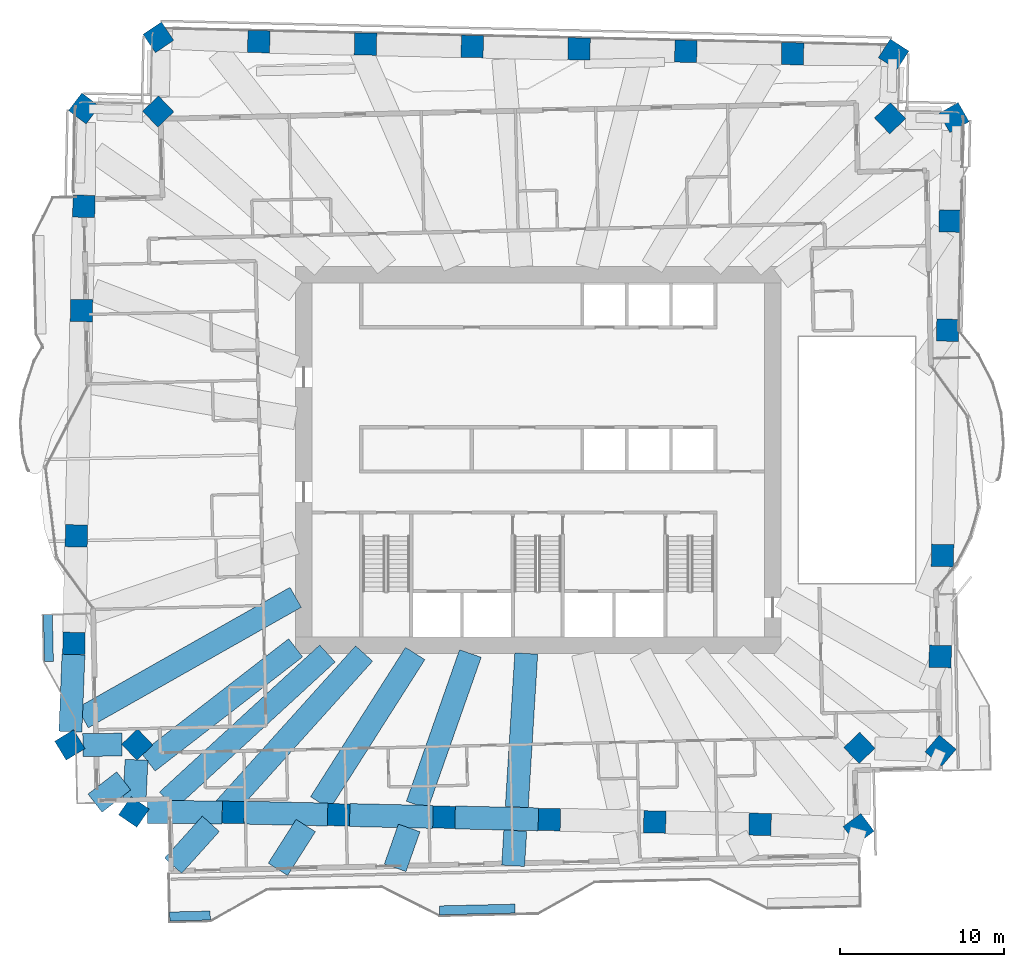
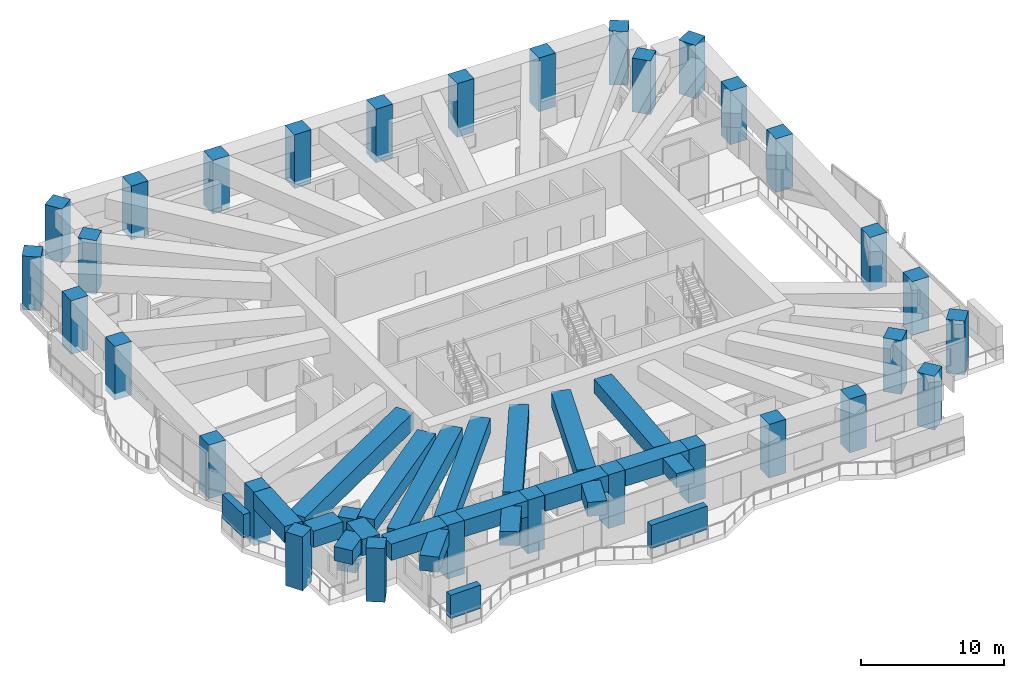
# One storey, part 1 of 21: 32 columns, 19 beams, 3 members.
"""IFC4 building model written with IfcOpenShell, lengths in metres."""

import ifcopenshell
import ifcopenshell.guid

model = None  # the IFC model being written
_history = None  # IfcOwnerHistory: only IFC2X3 demands one
_inside = {}  # id of a spatial element -> (the spatial element, [elements in it])
_under = {}  # id of a project, library or spatial element -> (it, [spatial elements below it])
_declared = {}  # id of a project -> (the project, [libraries it declares])
_typed = {}  # id of a type object -> (the type object, [elements of that type])
_made_of = {}  # id of a material, layer set ... -> (it, [elements and type objects made of it])


def new_model(schema):
    """Start an empty IFC model of exactly this schema.

    Asked for "IFC4X3", IfcOpenShell would pick the latest addendum, in which some entities
    have other attributes; the version numbers below select the first issue.
    IFC2X3 requires an IfcOwnerHistory on every rooted entity: one is made here for all.
    """
    global model, _history
    if schema == "IFC4X3":
        model = ifcopenshell.file(schema_version=(4, 3, 0, 0))
    else:
        model = ifcopenshell.file(schema=schema)
    _inside.clear()
    _under.clear()
    _declared.clear()
    _typed.clear()
    _made_of.clear()
    _history = None
    if model.schema == "IFC2X3":
        org = make("IfcOrganization", Name="unknown")
        user = make(
            "IfcPersonAndOrganization",
            ThePerson=make("IfcPerson", FamilyName="unknown"),
            TheOrganization=org,
        )
        app = make(
            "IfcApplication",
            ApplicationDeveloper=org,
            Version="unknown",
            ApplicationFullName="unknown",
            ApplicationIdentifier="unknown",
        )
        _history = make(
            "IfcOwnerHistory",
            OwningUser=user,
            OwningApplication=app,
            ChangeAction="ADDED",
            CreationDate=0,
        )
    return model


def make(cls, **values):
    """One entity of the class cls with the attributes given. An attribute that is None is left unset."""
    return model.create_entity(
        cls, **{name: value for name, value in values.items() if value is not None}
    )


def rooted(cls, **values):
    """An entity with a GlobalId (a new one), such as an element, a storey or a relation."""
    return make(cls, GlobalId=ifcopenshell.guid.new(), OwnerHistory=_history, **values)


def si_unit(unit_type, name, prefix=None):
    """IfcSIUnit, for example si_unit("LENGTHUNIT", "METRE", prefix="MILLI")."""
    return make("IfcSIUnit", UnitType=unit_type, Prefix=prefix, Name=name)


def assignment(units):
    """IfcUnitAssignment: the units of a project."""
    return None if units is None else make("IfcUnitAssignment", Units=units)


def point(xyz):
    """IfcCartesianPoint."""
    return None if xyz is None else make("IfcCartesianPoint", Coordinates=xyz)


def direction(xyz):
    """IfcDirection."""
    return None if xyz is None else make("IfcDirection", DirectionRatios=xyz)


def frame(location, z_axis=None, x_axis=None):
    """IfcAxis2Placement3D, a coordinate frame: its origin and axes. An axis left out is left unset."""
    return make(
        "IfcAxis2Placement3D",
        Location=point(location),
        Axis=direction(z_axis),
        RefDirection=direction(x_axis),
    )


def frame_2d(location, x_axis=None):
    """IfcAxis2Placement2D, a coordinate frame in the plane: its origin and x axis."""
    return make(
        "IfcAxis2Placement2D", Location=point(location), RefDirection=direction(x_axis)
    )


def origin():
    """The frame at (0, 0, 0) with its axes left unset."""
    return frame((0.0, 0.0, 0.0))


def origin_2d():
    """The frame at (0, 0) in the plane with its x axis left unset."""
    return frame_2d((0.0, 0.0))


def place(relative_to, where):
    """IfcLocalPlacement: puts the frame where relative to a parent placement (None: the world)."""
    return make(
        "IfcLocalPlacement", PlacementRelTo=relative_to, RelativePlacement=where
    )


def context(
    kind, dimensions, precision=None, world=None, true_north=None, identifier=None
):
    """IfcGeometricRepresentationContext, for example the 3D "Model" context."""
    return make(
        "IfcGeometricRepresentationContext",
        ContextIdentifier=identifier,
        ContextType=kind,
        CoordinateSpaceDimension=dimensions,
        Precision=precision,
        WorldCoordinateSystem=world,
        TrueNorth=true_north,
    )


def subcontext(parent, identifier, kind, view, scale=None):
    """IfcGeometricRepresentationSubContext, for example "Body" below "Model"."""
    return make(
        "IfcGeometricRepresentationSubContext",
        ContextIdentifier=identifier,
        ContextType=kind,
        ParentContext=parent,
        TargetScale=scale,
        TargetView=view,
    )


def project(units=None, contexts=None):
    """IfcProject with its units and contexts."""
    return rooted(
        "IfcProject",
        Name="project",
        RepresentationContexts=contexts,
        UnitsInContext=assignment(units),
    )


def spatial(cls, under=None, at=None, **own):
    """A site, building, storey or space (cls), placed at a placement, below another one or the project."""
    s = rooted(cls, ObjectPlacement=at, **own)
    if under is not None:
        _under.setdefault(under.id(), (under, []))[1].append(s)
    return s


def profile(cls, at=None, kind="AREA", **sizes):
    """A parametric profile (cls). Its sizes go by their IFC names, for example OverallWidth=200.0."""
    return make(cls, ProfileType=kind, Position=at, **sizes)


def rectangle(**sizes):
    """IfcRectangleProfileDef."""
    return profile("IfcRectangleProfileDef", **sizes)


def extrude(swept, where, along, depth):
    """IfcExtrudedAreaSolid: the profile swept, set in the frame where, extruded along a direction by depth."""
    return make(
        "IfcExtrudedAreaSolid",
        SweptArea=swept,
        Position=where,
        ExtrudedDirection=direction(along),
        Depth=depth,
    )


def shape(context_of_items, identifier, shape_type, items):
    """IfcShapeRepresentation: the items that make up one representation, for example the "Body"."""
    return make(
        "IfcShapeRepresentation",
        ContextOfItems=context_of_items,
        RepresentationIdentifier=identifier,
        RepresentationType=shape_type,
        Items=items,
    )


def material(Name=None, Category=None):
    """IfcMaterial."""
    return make("IfcMaterial", Name=Name, Category=Category)


def material_profile(
    of_material, cross_section, Name=None, Category=None, Priority=None
):
    """IfcMaterialProfile: a cross section and its material."""
    return make(
        "IfcMaterialProfile",
        Name=Name,
        Material=of_material,
        Profile=cross_section,
        Priority=Priority,
        Category=Category,
    )


def profile_set(profiles, Name=None, composite=None):
    """IfcMaterialProfileSet."""
    return make(
        "IfcMaterialProfileSet",
        Name=Name,
        MaterialProfiles=profiles,
        CompositeProfile=composite,
    )


def made_of(thing, what):
    """Note that an element or type object is made of a material, layer set ...; save() writes the relation."""
    if what is not None:
        _made_of.setdefault(what.id(), (what, []))[1].append(thing)
    return thing


def type_object(cls, material=None, **own):
    """A type object (cls), such as IfcWallType, which elements share."""
    return made_of(rooted(cls, **own), material)


def element(
    cls,
    number,
    at=None,
    inside=None,
    cuts=None,
    type_object=None,
    material=None,
    context=None,
    identifier="Body",
    shape_type=None,
    held_by="IfcProductDefinitionShape",
    body=None,
    shapes=None,
    **own,
):
    """One element of the class cls, such as IfcWall. Its Tag is "e" and its number.

    at: its placement. inside: the storey or other place that contains it. cuts: it is an
    opening in that element (IfcRelVoidsElement). A single representation is given by context,
    identifier, shape_type and body (its items); several are given by shapes. held_by: the class
    of the entity that holds the representations. save() writes the other relations.
    """
    e = rooted(cls, Tag="e%d" % number, ObjectPlacement=at, **own)
    if body is not None:
        shapes = [shape(context, identifier, shape_type, body)]
    if shapes is not None:
        e.Representation = make(held_by, Representations=shapes)
    if inside is not None:
        _inside.setdefault(inside.id(), (inside, []))[1].append(e)
    if cuts is not None:
        rooted(
            "IfcRelVoidsElement", RelatingBuildingElement=cuts, RelatedOpeningElement=e
        )
    if type_object is not None:
        _typed.setdefault(type_object.id(), (type_object, []))[1].append(e)
    return made_of(e, material)


def aggregate(whole, parts):
    """IfcRelAggregates: a whole, such as a stair, and the parts it consists of."""
    return rooted("IfcRelAggregates", RelatingObject=whole, RelatedObjects=parts)


def save(model, path):
    """Write the relations noted so far, then the file.

    IfcRelAggregates (storeys below a building ...), IfcRelContainedInSpatialStructure (elements
    in a storey), IfcRelDefinesByType, IfcRelAssociatesMaterial and IfcRelDeclares: one each for
    every whole, place, type object, material and project.
    """
    for whole, parts in _under.values():
        aggregate(whole, parts)
    for where, things in _inside.values():
        rooted(
            "IfcRelContainedInSpatialStructure",
            RelatedElements=things,
            RelatingStructure=where,
        )
    for kind, things in _typed.values():
        rooted("IfcRelDefinesByType", RelatedObjects=things, RelatingType=kind)
    for what, things in _made_of.values():
        rooted("IfcRelAssociatesMaterial", RelatedObjects=things, RelatingMaterial=what)
    for by, libraries in _declared.values():
        rooted("IfcRelDeclares", RelatingContext=by, RelatedDefinitions=libraries)
    model.write(path)


model = new_model("IFC4")

# Units and contexts
model_context = context("Model", 3, precision=1e-05, world=origin(), true_north=direction((0.0, 1.0)))
body_context = subcontext(model_context, "Body", "Model", "MODEL_VIEW")
ifc_project = project(units=[si_unit("LENGTHUNIT", "METRE"), si_unit("AREAUNIT", "SQUARE_METRE"), si_unit("VOLUMEUNIT", "CUBIC_METRE"), si_unit("PLANEANGLEUNIT", "RADIAN"), si_unit("MASSUNIT", "GRAM", prefix="KILO")], contexts=[model_context])

# Site, building, storey
site_placement = place(None, origin())
site = spatial("IfcSite", under=ifc_project, at=site_placement, CompositionType="ELEMENT")
building_placement = place(site_placement, origin())
building = spatial("IfcBuilding", under=site, at=building_placement, Name="Mangrove Gate Tower", CompositionType="ELEMENT")
storey_placement = place(building_placement, frame((0.0, 0.0, 125.5)))
storey = spatial("IfcBuildingStorey", under=building, at=storey_placement, Name="L31", CompositionType="ELEMENT", Elevation=125.5)

# Columns
ifc_material_1 = material(Name="Concrete C70/85", Category="concrete")
ifc_material_profile_1 = material_profile(ifc_material_1, rectangle(XDim=1.35009765625, YDim=1.35009765625, at=origin_2d()))
ifc_profile_set_1 = profile_set([ifc_material_profile_1], Name="Concrete C70/85")
column_type = type_object("IfcColumnType", Name="Column RC 1350x1350 C70/85", PredefinedType="COLUMN", material=ifc_profile_set_1)
for number, where, z_axis, x_axis, name in (
    (1, (-28.17822265625, -4.624267578125, -0.550048828125), (0.0, 0.0, 1.0), (-0.022695691547, -0.999742419619, 0.0), "Column L31 W05"),
    (2, (-28.3271484375, -11.184326171875, -0.550048828125), (0.0, 0.0, 1.0), (-0.022705829297, -0.999742189425, 0.0), "Column L31 W06"),
    (3, (-28.574462890625, -17.379150390625, -0.550048828125), (0.0, 0.0, 1.0), (0.51980850099, -0.85428281166, 0.0), "Column L31 W07"),
    (4, (-24.464111328125, -17.358642578125, -0.550048828125), (0.0, 0.0, 1.0), (0.69093208713, -0.722919671176, 0.0), "Column L31 W08"),
    (5, (-24.6650390625, -21.46728515625, -0.550048828125), (0.0, 0.0, 1.0), (0.824584810142, -0.565738359034, 0.0), "Column L31 S01"),
    (6, (-18.603759765625, -21.4951171875, -0.550048828125), (0.0, 0.0, 1.0), (0.999742156532, -0.022707277547, 0.0), "Column L31 S02"),
    (7, (-12.17578125, -21.64111328125, -0.550048828125), (0.0, 0.0, 1.0), (0.999742156532, -0.022707277547, 0.0), "Column L31 S03"),
    (8, (-5.74755859375, -21.787109375, -0.550048828125), (0.0, 0.0, 1.0), (0.999742156532, -0.022707277547, 0.0), "Column L31 S04"),
    (9, (0.680419921875, -21.93310546875, -0.550048828125), (0.0, 0.0, 1.0), (0.999742156532, -0.022707277547, 0.0), "Column L31 S05"),
    (10, (7.108154296875, -22.0791015625, -0.550048828125), (0.0, 0.0, 1.0), (0.999743919101, -0.022629543109, 0.0), "Column L31 S06"),
    (11, (13.536376953125, -22.22412109375, -0.550048828125), (0.0, 0.0, 1.0), (0.999743919101, -0.022629543109, 0.0), "Column L31 S07"),
    (12, (19.546875, -22.5029296875, -0.550048828125), (0.0, 0.0, 1.0), (0.803200357552, 0.595708977294, 0.0), "Column L31 S08"),
    (13, (19.5966796875, -17.55908203125, -0.550048828125), (0.0, 0.0, 1.0), (0.722976563275, 0.690872556232, 0.0), "Column L31 E01"),
    (14, (24.546630859375, -17.722900390625, -0.550048828125), (0.0, 0.0, 1.0), (0.64744355459, 0.76211340601, 0.0), "Column L31 E02"),
    (15, (24.526123046875, -11.983642578125, -0.550048828125), (0.0, 0.0, 1.0), (0.022717711923, 0.99974191948, 0.0), "Column L31 E03"),
    (16, (24.666259765625, -5.82275390625, -0.550048828125), (0.0, 0.0, 1.0), (0.022698588047, 0.99974235386, 0.0), "Column L31 E04"),
    (17, (24.978271484375, 7.92431640625, -0.550048828125), (0.0, 0.0, 1.0), (0.022682447908, 0.999742720182, 0.0), "Column L31 E05"),
    (18, (25.129150390625, 14.584228515625, -0.550048828125), (0.0, 0.0, 1.0), (0.022665138693, 0.999743112748, 0.0), "Column L31 E06"),
    (19, (25.36865234375, 20.895751953125, -0.550048828125), (0.0, 0.0, 1.0), (-0.495140886792, 0.868812696861, 0.0), "Column L31 E07"),
    (20, (21.468017578125, 20.854736328125, -0.550048828125), (0.0, 0.0, 1.0), (-0.690837236726, 0.723010312757, 0.0), "Column L31 E08"),
    (21, (21.680908203125, 24.7529296875, -0.550048828125), (0.0, 0.0, 1.0), (-0.840169758103, 0.542323499001, 0.0), "Column L31 N01"),
    (22, (15.517822265625, 24.792236328125, -0.550048828125), (0.0, 0.0, 1.0), (-0.999743694319, 0.022639471488, 0.0), "Column L31 N02"),
    (23, (9.004638671875, 24.940185546875, -0.550048828125), (0.0, 0.0, 1.0), (-0.99974195437, 0.02271617643, 0.0), "Column L31 N03"),
    (24, (2.49072265625, 25.088134765625, -0.550048828125), (0.0, 0.0, 1.0), (-0.999741994016, 0.022714431551, 0.0), "Column L31 N04"),
    (25, (-4.0234375, 25.236083984375, -0.550048828125), (0.0, 0.0, 1.0), (-0.999741994016, 0.022714431551, 0.0), "Column L31 N05"),
    (26, (-10.537353515625, 25.38427734375, -0.550048828125), (0.0, 0.0, 1.0), (-0.99974195437, 0.02271617643, 0.0), "Column L31 N06"),
    (27, (-17.05029296875, 25.5322265625, -0.550048828125), (0.0, 0.0, 1.0), (-0.999743694319, 0.022639471488, 0.0), "Column L31 N07"),
    (28, (-23.17236328125, 25.7939453125, -0.550048828125), (0.0, 0.0, 1.0), (-0.829825550582, -0.558022898815, 0.0), "Column L31 N08"),
    (29, (-23.187744140625, 21.26806640625, -0.550048828125), (0.0, 0.0, 1.0), (-0.722988982899, -0.690859559249, 0.0), "Column L31 W01"),
    (30, (-27.714111328125, 21.4521484375, -0.550048828125), (0.0, 0.0, 1.0), (-0.604088172923, -0.796917485901, 0.0), "Column L31 W02"),
    (31, (-27.72216796875, 15.483642578125, -0.550048828125), (0.0, 0.0, 1.0), (-0.02271069751, -0.999742078848, 0.0), "Column L31 W03"),
    (32, (-27.8662109375, 9.122802734375, -0.550048828125), (0.0, 0.0, 1.0), (-0.022671716894, -0.999742963593, 0.0), "Column L31 W04"),
):
    element("IfcColumn", number, at=place(storey_placement, frame(where, z_axis=z_axis, x_axis=x_axis)), inside=storey, type_object=column_type, Name=name, PredefinedType="COLUMN", context=body_context, shape_type="SweptSolid", body=[
        extrude(rectangle(XDim=1.35009765625, YDim=1.35009765625, at=origin_2d()), origin(), (0.0, 0.0, 1.0), 4.60009765625),
    ])

# Members
ifc_material_2 = material(Name="Planting on aluminium trellis", Category="aluminium")
ifc_material_profile_2 = material_profile(ifc_material_2, rectangle(XDim=0.550048828125, YDim=2.0, at=origin_2d()))
ifc_profile_set_2 = profile_set([ifc_material_profile_2], Name="Planting on aluminium trellis")
member_type = type_object("IfcMemberType", Name="Balcony greenery screen 550x2000", PredefinedType="USERDEFINED", material=ifc_profile_set_2)
member_1_placement = place(storey_placement, frame((-29.85302734375, -12.2939453125, 1.800048828125), z_axis=(-0.022590224177, 0.999744808324, 0.0), x_axis=(-0.999744808324, -0.022590224177, 0.0)))
element("IfcMember", 33, at=member_1_placement, inside=storey, type_object=member_type, Name="GREEN SCREEN L31 W1.1", ObjectType="PLANTING", PredefinedType="USERDEFINED", context=body_context, shape_type="SweptSolid", body=[
    extrude(rectangle(XDim=0.550048828125, YDim=2.0, at=origin_2d()), origin(), (0.0, 0.0, 1.0), 2.874755859375),
])
member_2_placement = place(storey_placement, frame((-22.48291015625, -27.844970703125, 1.800048828125), z_axis=(0.99974432732, 0.022611501329, 0.0), x_axis=(-0.022611501329, 0.99974432732, 0.0)))
element("IfcMember", 34, at=member_2_placement, inside=storey, type_object=member_type, Name="GREEN SCREEN L31 S0.1", ObjectType="PLANTING", PredefinedType="USERDEFINED", context=body_context, shape_type="SweptSolid", body=[
    extrude(rectangle(XDim=0.550048828125, YDim=2.0, at=origin_2d()), origin(), (0.0, 0.0, 1.0), 2.47265625),
])
member_3_placement = place(storey_placement, frame((-6.014892578125, -27.471923828125, 1.800048828125), z_axis=(0.999739556364, 0.022821468877, 0.0), x_axis=(-0.022821468877, 0.999739556364, 0.0)))
element("IfcMember", 35, at=member_3_placement, inside=storey, type_object=member_type, Name="GREEN SCREEN L31 S0.2", ObjectType="PLANTING", PredefinedType="USERDEFINED", context=body_context, shape_type="SweptSolid", body=[
    extrude(rectangle(XDim=0.550048828125, YDim=2.0, at=origin_2d()), origin(), (0.0, 0.0, 1.0), 4.60009765625),
])

# Beams
ifc_material_3 = material(Name="Concrete C70/85", Category="concrete")
ifc_material_profile_3 = material_profile(ifc_material_3, rectangle(XDim=1.39990234375, YDim=1.199951171875, at=origin_2d()))
ifc_profile_set_3 = profile_set([ifc_material_profile_3], Name="Concrete C70/85")
beam_type_1 = type_object("IfcBeamType", Name="Transfer girder RC 1400x1200 C70/85", PredefinedType="BEAM", material=ifc_profile_set_3)
beam_1_placement = place(storey_placement, frame((-14.800048828125, -11.454833984375, 3.449951171875), z_axis=(-0.790808775529, -0.612063297826, 0.0), x_axis=(0.612063297826, -0.790808775529, 0.0)))
element("IfcBeam", 36, at=beam_1_placement, inside=storey, type_object=beam_type_1, Name="Transfer girder L31 02", PredefinedType="BEAM", context=body_context, shape_type="SweptSolid", body=[
    extrude(rectangle(XDim=1.39990234375, YDim=1.199951171875, at=origin_2d()), origin(), (0.0, 0.0, 1.0), 11.381591796875),
])
beam_2_placement = place(storey_placement, frame((-25.28759765625, -19.57177734375, 3.449951171875), z_axis=(-0.79082505564, -0.612042262733, 0.0), x_axis=(0.612042262733, -0.79082505564, 0.0)))
element("IfcBeam", 37, at=beam_2_placement, inside=storey, type_object=beam_type_1, Name="Transfer cantilever girder L31 02", PredefinedType="BEAM", context=body_context, shape_type="SweptSolid", body=[
    extrude(rectangle(XDim=1.39990234375, YDim=1.199951171875, at=origin_2d()), origin(), (0.0, 0.0, 1.0), 2.218994140625),
])
beam_3_placement = place(storey_placement, frame((-7.505859375, -11.800048828125, 3.449951171875), z_axis=(-0.536717524967, -0.843761991555, 0.0), x_axis=(0.843761991555, -0.536717524967, 0.0)))
element("IfcBeam", 38, at=beam_3_placement, inside=storey, type_object=beam_type_1, Name="Transfer girder L31 05", PredefinedType="BEAM", context=body_context, shape_type="SweptSolid", body=[
    extrude(rectangle(XDim=1.39990234375, YDim=1.199951171875, at=origin_2d()), origin(), (0.0, 0.0, 1.0), 10.801025390625),
])
beam_4_placement = place(storey_placement, frame((-14.183349609375, -22.29736328125, 3.449951171875), z_axis=(-0.536646105415, -0.843807417331, 0.0), x_axis=(0.843807417331, -0.536646105415, 0.0)))
element("IfcBeam", 39, at=beam_4_placement, inside=storey, type_object=beam_type_1, Name="Transfer cantilever girder L31 05", PredefinedType="BEAM", context=body_context, shape_type="SweptSolid", body=[
    extrude(rectangle(XDim=1.39990234375, YDim=1.199951171875, at=origin_2d()), origin(), (0.0, 0.0, 1.0), 3.168212890625),
])
beam_5_placement = place(storey_placement, frame((-4.14013671875, -11.800048828125, 3.449951171875), z_axis=(-0.331078372227, -0.943603259555, 0.0), x_axis=(0.943603259555, -0.331078372227, 0.0)))
element("IfcBeam", 40, at=beam_5_placement, inside=storey, type_object=beam_type_1, Name="Transfer girder L31 06", PredefinedType="BEAM", context=body_context, shape_type="SweptSolid", body=[
    extrude(rectangle(XDim=1.39990234375, YDim=1.199951171875, at=origin_2d()), origin(), (0.0, 0.0, 1.0), 9.798828125),
])
beam_6_placement = place(storey_placement, frame((-7.874267578125, -22.442626953125, 3.449951171875), z_axis=(-0.331130607293, -0.943584930419, 0.0), x_axis=(0.943584930419, -0.331130607293, 0.0)))
element("IfcBeam", 41, at=beam_6_placement, inside=storey, type_object=beam_type_1, Name="Transfer cantilever girder L31 06", PredefinedType="BEAM", context=body_context, shape_type="SweptSolid", body=[
    extrude(rectangle(XDim=1.39990234375, YDim=1.199951171875, at=origin_2d()), origin(), (0.0, 0.0, 1.0), 2.578369140625),
])
beam_7_placement = place(storey_placement, frame((-0.729736328125, -11.800048828125, 3.449951171875), z_axis=(-0.061722448709, -0.998093352009, 0.0), x_axis=(0.998093352009, -0.061722448709, 0.0)))
element("IfcBeam", 42, at=beam_7_placement, inside=storey, type_object=beam_type_1, Name="Transfer girder L31 07", PredefinedType="BEAM", context=body_context, shape_type="SweptSolid", body=[
    extrude(rectangle(XDim=1.39990234375, YDim=1.199951171875, at=origin_2d()), origin(), (0.0, 0.0, 1.0), 9.38623046875),
])
beam_8_placement = place(storey_placement, frame((-1.398193359375, -22.605712890625, 3.449951171875), z_axis=(-0.061650223409, -0.998097815824, 0.0), x_axis=(0.998097815824, -0.061650223409, 0.0)))
element("IfcBeam", 43, at=beam_8_placement, inside=storey, type_object=beam_type_1, Name="Transfer cantilever girder L31 07", PredefinedType="BEAM", context=body_context, shape_type="SweptSolid", body=[
    extrude(rectangle(XDim=1.39990234375, YDim=1.199951171875, at=origin_2d()), origin(), (0.0, 0.0, 1.0), 2.150390625),
])
ifc_material_4 = material(Name="Concrete C70/85", Category="concrete")
ifc_material_profile_4 = material_profile(ifc_material_4, rectangle(XDim=1.39990234375, YDim=1.300048828125, at=origin_2d()))
ifc_profile_set_4 = profile_set([ifc_material_profile_4], Name="Concrete C70/85")
beam_type_2 = type_object("IfcBeamType", Name="Transfer girder RC 1400x1300 C70/85", PredefinedType="BEAM", material=ifc_profile_set_4)
beam_9_placement = place(storey_placement, frame((-10.6220703125, -11.800048828125, 3.39990234375), z_axis=(-0.669039895523, -0.743226491857, 0.0), x_axis=(0.743226491857, -0.669039895523, 0.0)))
element("IfcBeam", 44, at=beam_9_placement, inside=storey, type_object=beam_type_2, Name="Transfer girder L31 04", PredefinedType="BEAM", context=body_context, shape_type="SweptSolid", body=[
    extrude(rectangle(XDim=1.39990234375, YDim=1.300048828125, at=origin_2d()), origin(), (0.0, 0.0, 1.0), 12.920166015625),
])
beam_10_placement = place(storey_placement, frame((-19.97509765625, -22.1904296875, 3.39990234375), z_axis=(-0.669047078723, -0.7432200256, 0.0), x_axis=(0.7432200256, -0.669047078723, 0.0)))
element("IfcBeam", 45, at=beam_10_placement, inside=storey, type_object=beam_type_2, Name="Transfer cantilever girder L31 04", PredefinedType="BEAM", context=body_context, shape_type="SweptSolid", body=[
    extrude(rectangle(XDim=1.39990234375, YDim=1.300048828125, at=origin_2d()), origin(), (0.0, 0.0, 1.0), 3.439697265625),
])
ifc_material_5 = material(Name="Concrete C70/85", Category="concrete")
ifc_material_profile_5 = material_profile(ifc_material_5, rectangle(XDim=1.39990234375, YDim=1.39990234375, at=origin_2d()))
ifc_profile_set_5 = profile_set([ifc_material_profile_5], Name="Concrete C70/85")
beam_type_3 = type_object("IfcBeamType", Name="Transfer girder RC 1400x1400 C70/85", PredefinedType="BEAM", material=ifc_profile_set_5)
beam_11_placement = place(storey_placement, frame((-28.35400390625, -11.85888671875, 3.35009765625), z_axis=(-0.039877036275, -0.999204594654, 0.0), x_axis=(0.999204594654, -0.039877036275, 0.0)))
element("IfcBeam", 46, at=beam_11_placement, inside=storey, type_object=beam_type_3, Name="Transfer ring girder L31 01", PredefinedType="BEAM", context=body_context, shape_type="SweptSolid", body=[
    extrude(rectangle(XDim=1.39990234375, YDim=1.39990234375, at=origin_2d()), origin(), (0.0, 0.0, 1.0), 4.714111328125),
])
beam_12_placement = place(storey_placement, frame((-27.78662109375, -17.375244140625, 3.35009765625), z_axis=(0.999987507884, 0.004998407415, 0.0), x_axis=(-0.004998407415, 0.999987507884, 0.0)))
element("IfcBeam", 47, at=beam_12_placement, inside=storey, type_object=beam_type_3, Name="Transfer ring girder L31 02", PredefinedType="BEAM", context=body_context, shape_type="SweptSolid", body=[
    extrude(rectangle(XDim=1.39990234375, YDim=1.39990234375, at=origin_2d()), origin(), (0.0, 0.0, 1.0), 2.393310546875),
])
beam_13_placement = place(storey_placement, frame((-24.509521484375, -18.2880859375, 3.35009765625), z_axis=(-0.048928849018, -0.998802266584, 0.0), x_axis=(0.998802266584, -0.048928849018, 0.0)))
element("IfcBeam", 48, at=beam_13_placement, inside=storey, type_object=beam_type_3, Name="Transfer ring girder L31 03", PredefinedType="BEAM", context=body_context, shape_type="SweptSolid", body=[
    extrude(rectangle(XDim=1.39990234375, YDim=1.39990234375, at=origin_2d()), origin(), (0.0, 0.0, 1.0), 2.39013671875),
])
beam_14_placement = place(storey_placement, frame((-23.84912109375, -21.47119140625, 3.35009765625), z_axis=(0.99998944767, -0.004593968616, 0.0), x_axis=(0.004593968616, 0.99998944767, 0.0)))
element("IfcBeam", 49, at=beam_14_placement, inside=storey, type_object=beam_type_3, Name="Transfer ring girder L31 04", PredefinedType="BEAM", context=body_context, shape_type="SweptSolid", body=[
    extrude(rectangle(XDim=1.39990234375, YDim=1.39990234375, at=origin_2d()), origin(), (0.0, 0.0, 1.0), 4.5703125),
])
beam_15_placement = place(storey_placement, frame((-17.928955078125, -21.510498046875, 3.35009765625), z_axis=(0.999742653716, -0.022685377268, 0.0), x_axis=(0.022685377268, 0.999742653716, 0.0)))
element("IfcBeam", 50, at=beam_15_placement, inside=storey, type_object=beam_type_3, Name="Transfer ring girder L31 05", PredefinedType="BEAM", context=body_context, shape_type="SweptSolid", body=[
    extrude(rectangle(XDim=1.39990234375, YDim=1.39990234375, at=origin_2d()), origin(), (0.0, 0.0, 1.0), 5.07958984375),
])
beam_16_placement = place(storey_placement, frame((-11.500732421875, -21.656494140625, 3.35009765625), z_axis=(0.99974262898, -0.02268646735, 0.0), x_axis=(0.02268646735, 0.99974262898, 0.0)))
element("IfcBeam", 51, at=beam_16_placement, inside=storey, type_object=beam_type_3, Name="Transfer ring girder L31 06", PredefinedType="BEAM", context=body_context, shape_type="SweptSolid", body=[
    extrude(rectangle(XDim=1.39990234375, YDim=1.39990234375, at=origin_2d()), origin(), (0.0, 0.0, 1.0), 5.079345703125),
])
beam_17_placement = place(storey_placement, frame((-5.07275390625, -21.802490234375, 3.35009765625), z_axis=(0.999741562533, -0.022733414695, 0.0), x_axis=(0.022733414695, 0.999741562533, 0.0)))
element("IfcBeam", 52, at=beam_17_placement, inside=storey, type_object=beam_type_3, Name="Transfer ring girder L31 07", PredefinedType="BEAM", context=body_context, shape_type="SweptSolid", body=[
    extrude(rectangle(XDim=1.39990234375, YDim=1.39990234375, at=origin_2d()), origin(), (0.0, 0.0, 1.0), 5.07958984375),
])
beam_18_placement = place(storey_placement, frame((-12.861083984375, -11.800048828125, 3.35009765625), z_axis=(-0.736850838468, -0.676055354131, 0.0), x_axis=(0.676055354131, -0.736850838468, 0.0)))
element("IfcBeam", 53, at=beam_18_placement, inside=storey, type_object=beam_type_3, Name="Transfer girder L31 03", PredefinedType="BEAM", context=body_context, shape_type="SweptSolid", body=[
    extrude(rectangle(XDim=1.39990234375, YDim=1.39990234375, at=origin_2d()), origin(), (0.0, 0.0, 1.0), 13.26806640625),
])
ifc_material_6 = material(Name="Concrete C70/85", Category="concrete")
ifc_material_profile_6 = material_profile(ifc_material_6, rectangle(XDim=1.39990234375, YDim=1.5, at=origin_2d()))
ifc_profile_set_6 = profile_set([ifc_material_profile_6], Name="Concrete C70/85")
beam_type_4 = type_object("IfcBeamType", Name="Transfer girder RC 1400x1500 C70/85", PredefinedType="BEAM", material=ifc_profile_set_6)
beam_19_placement = place(storey_placement, frame((-14.800048828125, -8.372802734375, 3.300048828125), z_axis=(-0.870366621123, -0.492404249408, 0.0), x_axis=(0.492404249408, -0.870366621123, 0.0)))
element("IfcBeam", 54, at=beam_19_placement, inside=storey, type_object=beam_type_4, Name="Transfer girder L31 01", PredefinedType="BEAM", context=body_context, shape_type="SweptSolid", body=[
    extrude(rectangle(XDim=1.39990234375, YDim=1.5, at=origin_2d()), origin(), (0.0, 0.0, 1.0), 14.928955078125),
])

save(model, "model.ifc")
